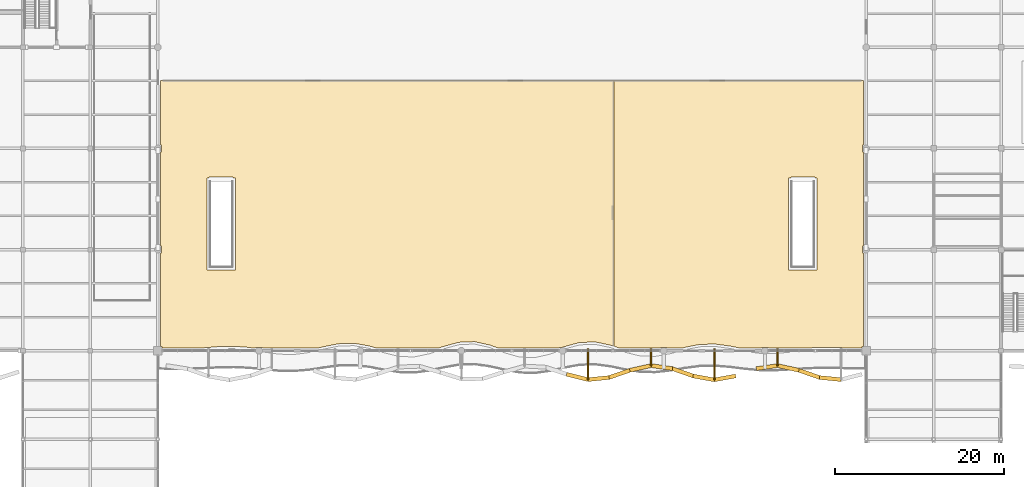
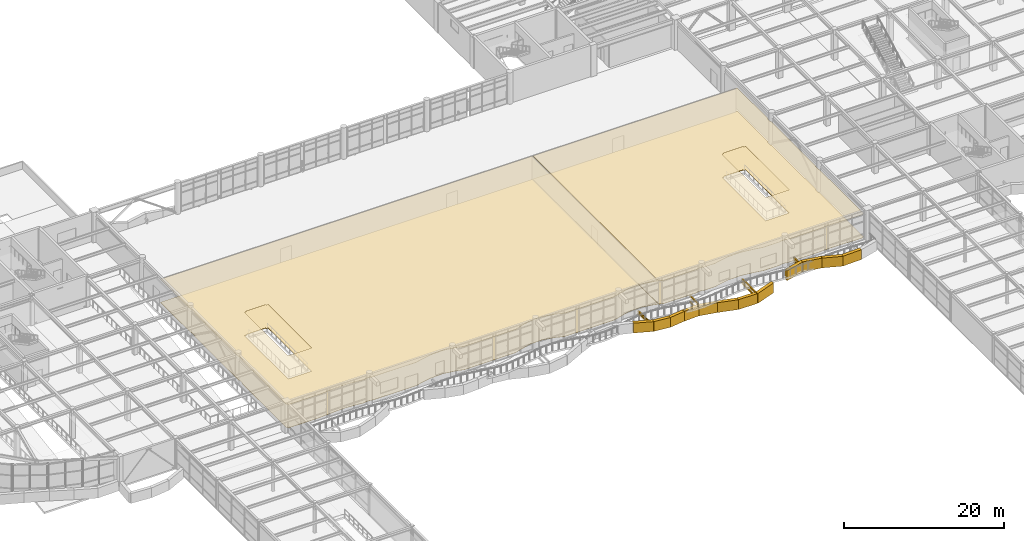
# One storey, part 61 of 72: 24 coverings.
"""IFC4 building model written with IfcOpenShell, lengths in metres."""

from ifc_helpers import new_model, si_unit, direction, frame, frame_2d, origin, place, context, subcontext, project, spatial, polyline, rectangle, outline, extrude, material, layer, layer_set, type_object, element, save


model = new_model("IFC4")

# Units and contexts
model_context = context("Model", 3, precision=1e-05, world=origin(), true_north=direction((0.0, 1.0)))
body_context = subcontext(model_context, "Body", "Model", "MODEL_VIEW")
ifc_project = project(units=[si_unit("LENGTHUNIT", "METRE"), si_unit("AREAUNIT", "SQUARE_METRE"), si_unit("VOLUMEUNIT", "CUBIC_METRE"), si_unit("PLANEANGLEUNIT", "RADIAN"), si_unit("MASSUNIT", "GRAM", prefix="KILO")], contexts=[model_context])

# Site, building, storey
site_placement = place(None, origin())
site = spatial("IfcSite", under=ifc_project, at=site_placement, CompositionType="ELEMENT")
building_placement = place(site_placement, origin())
building = spatial("IfcBuilding", under=site, at=building_placement, Name="Keelwater Ferry Terminal", CompositionType="ELEMENT")
storey_placement = place(building_placement, frame((0.0, 0.0, 5.39990234375)))
storey = spatial("IfcBuildingStorey", under=building, at=storey_placement, Name="L01", CompositionType="ELEMENT", Elevation=5.39990234375)

# Coverings
ifc_material_1 = material(Name="Perforated acoustic gypsum board ceiling", Category="gypsum")
ifc_layer_1 = layer(ifc_material_1, 0.044921875)
ifc_layer_set_1 = layer_set([ifc_layer_1], Name="Perforated acoustic gypsum board ceiling")
covering_type_1 = type_object("IfcCoveringType", Name="CL-AC Acoustic Baffle Ceiling", PredefinedType="CEILING", material=ifc_layer_set_1)
covering_1_placement = place(storey_placement, frame((0.0, 0.0, 3.550048828125)))
element("IfcCovering", 1, at=covering_1_placement, inside=storey, type_object=covering_type_1, Name="Departure Hall Acoustic Ceiling", PredefinedType="CEILING", context=body_context, shape_type="SweptSolid", body=[
    extrude(outline(polyline([(48.320068359375, 54.412109375), (48.320068359375, 54.419921875), (48.320068359375, 65.580078125), (48.320068359375, 65.587890625), (48.321044921875, 65.590087890625), (48.409912109375, 65.590087890625), (48.409912109375, 66.409912109375), (48.321044921875, 66.409912109375), (48.320068359375, 66.412109375), (48.320068359375, 66.419921875), (48.320068359375, 74.0), (48.320068359375, 74.008056640625), (48.322021484375, 74.01611328125), (48.322998046875, 74.02294921875), (48.325927734375, 74.031005859375), (48.3291015625, 74.0380859375), (48.3330078125, 74.0439453125), (48.337890625, 74.051025390625), (48.343017578125, 74.056884765625), (48.34912109375, 74.06201171875), (48.35595703125, 74.06689453125), (48.362060546875, 74.071044921875), (48.368896484375, 74.073974609375), (48.376953125, 74.076904296875), (48.384033203125, 74.077880859375), (48.39208984375, 74.080078125), (48.39990234375, 74.080078125), (102.0, 74.080078125), (102.008056640625, 74.080078125), (102.01611328125, 74.077880859375), (102.02294921875, 74.076904296875), (102.031005859375, 74.073974609375), (102.0380859375, 74.071044921875), (102.0439453125, 74.06689453125), (102.051025390625, 74.06201171875), (102.056884765625, 74.056884765625), (102.06201171875, 74.051025390625), (102.06689453125, 74.0439453125), (102.071044921875, 74.0380859375), (102.073974609375, 74.031005859375), (102.076904296875, 74.02294921875), (102.077880859375, 74.01611328125), (102.080078125, 74.008056640625), (102.080078125, 74.0), (102.080078125, 42.64990234375), (102.080078125, 42.64208984375), (102.077880859375, 42.634033203125), (102.076904296875, 42.626953125), (102.073974609375, 42.618896484375), (102.070068359375, 42.612060546875), (102.06591796875, 42.60498046875), (102.06201171875, 42.59912109375), (102.055908203125, 42.593017578125), (102.050048828125, 42.587890625), (102.0439453125, 42.5830078125), (102.037109375, 42.5791015625), (102.030029296875, 42.575927734375), (102.02294921875, 42.572998046875), (102.014892578125, 42.571044921875), (102.007080078125, 42.570068359375), (101.9990234375, 42.570068359375), (101.990966796875, 42.570068359375), (101.98388671875, 42.572021484375), (101.97607421875, 42.573974609375), (101.6708984375, 42.6689453125), (99.89208984375, 43.041015625), (99.81494140625, 43.048095703125), (98.0009765625, 42.97802734375), (96.18505859375, 42.487060546875), (95.965087890625, 42.409912109375), (95.590087890625, 42.409912109375), (95.590087890625, 42.321044921875), (95.587890625, 42.320068359375), (95.580078125, 42.320068359375), (88.387939453125, 42.320068359375), (88.37890625, 42.321044921875), (88.3701171875, 42.322021484375), (88.361083984375, 42.324951171875), (87.3759765625, 42.675048828125), (85.597900390625, 43.072998046875), (85.51611328125, 43.0810546875), (83.702880859375, 43.009033203125), (81.885986328125, 42.51708984375), (81.31396484375, 42.323974609375), (81.304931640625, 42.322021484375), (81.297119140625, 42.320068359375), (81.2880859375, 42.320068359375), (73.93994140625, 42.320068359375), (73.931884765625, 42.320068359375), (73.925048828125, 42.321044921875), (73.9169921875, 42.322998046875), (73.06494140625, 42.573974609375), (71.285888671875, 42.885986328125), (71.220947265625, 42.89111328125), (69.4150390625, 42.8310546875), (67.60693359375, 42.471923828125), (66.9599609375, 42.322021484375), (66.950927734375, 42.321044921875), (66.94189453125, 42.320068359375), (60.419921875, 42.320068359375), (60.412109375, 42.320068359375), (60.409912109375, 42.321044921875), (60.409912109375, 42.409912109375), (59.590087890625, 42.409912109375), (59.590087890625, 42.321044921875), (59.587890625, 42.320068359375), (59.580078125, 42.320068359375), (59.347900390625, 42.320068359375), (59.342041015625, 42.320068359375), (59.3359375, 42.321044921875), (58.739990234375, 42.409912109375), (56.924072265625, 42.5380859375), (55.125, 42.486083984375), (53.343017578125, 42.344970703125), (53.342041015625, 42.344970703125), (52.926025390625, 42.320068359375), (52.9208984375, 42.320068359375), (48.52001953125, 42.320068359375), (48.511962890625, 42.320068359375), (48.510009765625, 42.321044921875), (48.510009765625, 42.510009765625), (48.321044921875, 42.510009765625), (48.320068359375, 42.511962890625), (48.320068359375, 42.52001953125), (48.320068359375, 53.580078125), (48.320068359375, 53.587890625), (48.321044921875, 53.590087890625), (48.409912109375, 53.590087890625), (48.409912109375, 54.409912109375), (48.321044921875, 54.409912109375), (48.320068359375, 54.412109375)]), holes=[polyline([(54.080078125, 62.6201171875), (54.080078125, 62.47998046875), (53.800048828125, 62.47998046875), (53.800048828125, 51.60009765625), (57.199951171875, 51.60009765625), (57.199951171875, 62.47998046875), (56.919921875, 62.47998046875), (56.919921875, 62.6201171875), (54.080078125, 62.6201171875)])]), origin(), (0.0, 0.0, 1.0), 0.045166015625),
])
covering_2_placement = place(storey_placement, frame((0.0, 0.0, 3.550048828125)))
element("IfcCovering", 2, at=covering_2_placement, inside=storey, type_object=covering_type_1, Name="Schengen Border Gate Concourse Acoustic Ceiling", PredefinedType="CEILING", context=body_context, shape_type="SweptSolid", body=[
    extrude(outline(polyline([(107.587890625, 42.320068359375), (107.580078125, 42.320068359375), (102.779052734375, 42.320068359375), (102.77099609375, 42.320068359375), (102.762939453125, 42.322021484375), (102.7548828125, 42.323974609375), (102.176025390625, 42.510009765625), (102.16796875, 42.512939453125), (102.160888671875, 42.51611328125), (102.155029296875, 42.52001953125), (102.14892578125, 42.52490234375), (102.14306640625, 42.530029296875), (102.137939453125, 42.535888671875), (102.133056640625, 42.5419921875), (102.12890625, 42.549072265625), (102.1259765625, 42.555908203125), (102.123046875, 42.56298828125), (102.12109375, 42.571044921875), (102.1201171875, 42.577880859375), (102.1201171875, 42.5859375), (102.1201171875, 74.0), (102.1201171875, 74.008056640625), (102.1220703125, 74.01611328125), (102.123046875, 74.02294921875), (102.1259765625, 74.031005859375), (102.12890625, 74.0380859375), (102.133056640625, 74.0439453125), (102.137939453125, 74.051025390625), (102.14306640625, 74.056884765625), (102.14892578125, 74.06201171875), (102.156005859375, 74.06689453125), (102.162109375, 74.071044921875), (102.1689453125, 74.073974609375), (102.177001953125, 74.076904296875), (102.18408203125, 74.077880859375), (102.19189453125, 74.080078125), (102.199951171875, 74.080078125), (131.60009765625, 74.080078125), (131.60791015625, 74.080078125), (131.615966796875, 74.077880859375), (131.623046875, 74.076904296875), (131.631103515625, 74.073974609375), (131.637939453125, 74.071044921875), (131.64404296875, 74.06689453125), (131.65087890625, 74.06201171875), (131.656982421875, 74.056884765625), (131.662109375, 74.051025390625), (131.6669921875, 74.0439453125), (131.6708984375, 74.0380859375), (131.674072265625, 74.031005859375), (131.677001953125, 74.02294921875), (131.677978515625, 74.01611328125), (131.679931640625, 74.008056640625), (131.679931640625, 74.0), (131.679931640625, 66.419921875), (131.679931640625, 66.412109375), (131.678955078125, 66.409912109375), (131.590087890625, 66.409912109375), (131.590087890625, 65.590087890625), (131.678955078125, 65.590087890625), (131.679931640625, 65.587890625), (131.679931640625, 65.580078125), (131.679931640625, 54.419921875), (131.679931640625, 54.412109375), (131.678955078125, 54.409912109375), (131.590087890625, 54.409912109375), (131.590087890625, 53.590087890625), (131.678955078125, 53.590087890625), (131.679931640625, 53.587890625), (131.679931640625, 53.580078125), (131.679931640625, 42.52001953125), (131.679931640625, 42.511962890625), (131.678955078125, 42.510009765625), (131.489990234375, 42.510009765625), (131.489990234375, 42.321044921875), (131.488037109375, 42.320068359375), (131.47998046875, 42.320068359375), (130.06298828125, 42.320068359375), (130.05908203125, 42.320068359375), (128.428955078125, 42.39208984375), (126.64501953125, 42.41796875), (124.863037109375, 42.320068359375), (124.85888671875, 42.320068359375), (120.419921875, 42.320068359375), (120.412109375, 42.320068359375), (120.409912109375, 42.321044921875), (120.409912109375, 42.409912109375), (119.590087890625, 42.409912109375), (119.590087890625, 42.321044921875), (119.587890625, 42.320068359375), (119.580078125, 42.320068359375), (117.09912109375, 42.320068359375), (117.091064453125, 42.320068359375), (117.083984375, 42.321044921875), (115.951904296875, 42.54296875), (114.115966796875, 42.794921875), (112.31005859375, 42.758056640625), (110.501953125, 42.407958984375), (110.177978515625, 42.322998046875), (110.172119140625, 42.321044921875), (110.1650390625, 42.320068359375), (110.157958984375, 42.320068359375), (108.419921875, 42.320068359375), (108.412109375, 42.320068359375), (108.409912109375, 42.321044921875), (108.409912109375, 42.409912109375), (107.590087890625, 42.409912109375), (107.590087890625, 42.321044921875), (107.587890625, 42.320068359375)]), holes=[polyline([(123.080078125, 62.6201171875), (123.080078125, 62.47998046875), (122.800048828125, 62.47998046875), (122.800048828125, 51.60009765625), (126.199951171875, 51.60009765625), (126.199951171875, 62.47998046875), (125.919921875, 62.47998046875), (125.919921875, 62.6201171875), (123.080078125, 62.6201171875)])]), origin(), (0.0, 0.0, 1.0), 0.045166015625),
])
ifc_material_2 = material(Name="Polished mineral terrazzo tile", Category="stone")
ifc_layer_2 = layer(ifc_material_2, 0.030029296875)
ifc_layer_set_2 = layer_set([ifc_layer_2], Name="Polished mineral terrazzo tile")
covering_type_2 = type_object("IfcCoveringType", Name="FL-TZ Marine Terrazzo Flooring", PredefinedType="FLOORING", material=ifc_layer_set_2)
covering_3_placement = place(storey_placement, origin())
element("IfcCovering", 3, at=covering_3_placement, inside=storey, type_object=covering_type_2, Name="Departure Hall Terrazzo Floor", PredefinedType="FLOORING", context=body_context, shape_type="SweptSolid", body=[
    extrude(outline(polyline([(48.320068359375, 54.412109375), (48.320068359375, 54.419921875), (48.320068359375, 65.580078125), (48.320068359375, 65.587890625), (48.321044921875, 65.590087890625), (48.409912109375, 65.590087890625), (48.409912109375, 66.409912109375), (48.321044921875, 66.409912109375), (48.320068359375, 66.412109375), (48.320068359375, 66.419921875), (48.320068359375, 74.0), (48.320068359375, 74.008056640625), (48.322021484375, 74.01611328125), (48.322998046875, 74.02294921875), (48.325927734375, 74.031005859375), (48.3291015625, 74.0380859375), (48.3330078125, 74.0439453125), (48.337890625, 74.051025390625), (48.343017578125, 74.056884765625), (48.34912109375, 74.06201171875), (48.35595703125, 74.06689453125), (48.362060546875, 74.071044921875), (48.368896484375, 74.073974609375), (48.376953125, 74.076904296875), (48.384033203125, 74.077880859375), (48.39208984375, 74.080078125), (48.39990234375, 74.080078125), (102.0, 74.080078125), (102.008056640625, 74.080078125), (102.01611328125, 74.077880859375), (102.02294921875, 74.076904296875), (102.031005859375, 74.073974609375), (102.0380859375, 74.071044921875), (102.0439453125, 74.06689453125), (102.051025390625, 74.06201171875), (102.056884765625, 74.056884765625), (102.06201171875, 74.051025390625), (102.06689453125, 74.0439453125), (102.071044921875, 74.0380859375), (102.073974609375, 74.031005859375), (102.076904296875, 74.02294921875), (102.077880859375, 74.01611328125), (102.080078125, 74.008056640625), (102.080078125, 74.0), (102.080078125, 42.64990234375), (102.080078125, 42.64208984375), (102.077880859375, 42.634033203125), (102.076904296875, 42.626953125), (102.073974609375, 42.618896484375), (102.070068359375, 42.612060546875), (102.06591796875, 42.60498046875), (102.06201171875, 42.59912109375), (102.055908203125, 42.593017578125), (102.050048828125, 42.587890625), (102.0439453125, 42.5830078125), (102.037109375, 42.5791015625), (102.030029296875, 42.575927734375), (102.02294921875, 42.572998046875), (102.014892578125, 42.571044921875), (102.007080078125, 42.570068359375), (101.9990234375, 42.570068359375), (101.990966796875, 42.570068359375), (101.98388671875, 42.572021484375), (101.97607421875, 42.573974609375), (101.6708984375, 42.6689453125), (99.89208984375, 43.041015625), (99.81494140625, 43.048095703125), (98.0009765625, 42.97802734375), (96.18505859375, 42.487060546875), (95.965087890625, 42.409912109375), (95.590087890625, 42.409912109375), (95.590087890625, 42.321044921875), (95.587890625, 42.320068359375), (95.580078125, 42.320068359375), (88.387939453125, 42.320068359375), (88.37890625, 42.321044921875), (88.3701171875, 42.322021484375), (88.361083984375, 42.324951171875), (87.3759765625, 42.675048828125), (85.597900390625, 43.072998046875), (85.51611328125, 43.0810546875), (83.702880859375, 43.009033203125), (81.885986328125, 42.51708984375), (81.31396484375, 42.323974609375), (81.304931640625, 42.322021484375), (81.297119140625, 42.320068359375), (81.2880859375, 42.320068359375), (73.93994140625, 42.320068359375), (73.931884765625, 42.320068359375), (73.925048828125, 42.321044921875), (73.9169921875, 42.322998046875), (73.06494140625, 42.573974609375), (71.285888671875, 42.885986328125), (71.220947265625, 42.89111328125), (69.4150390625, 42.8310546875), (67.60693359375, 42.471923828125), (66.9599609375, 42.322021484375), (66.950927734375, 42.321044921875), (66.94189453125, 42.320068359375), (60.419921875, 42.320068359375), (60.412109375, 42.320068359375), (60.409912109375, 42.321044921875), (60.409912109375, 42.409912109375), (59.590087890625, 42.409912109375), (59.590087890625, 42.321044921875), (59.587890625, 42.320068359375), (59.580078125, 42.320068359375), (59.347900390625, 42.320068359375), (59.342041015625, 42.320068359375), (59.3359375, 42.321044921875), (58.739990234375, 42.409912109375), (56.924072265625, 42.5380859375), (55.125, 42.486083984375), (53.343017578125, 42.344970703125), (53.342041015625, 42.344970703125), (52.926025390625, 42.320068359375), (52.9208984375, 42.320068359375), (48.52001953125, 42.320068359375), (48.511962890625, 42.320068359375), (48.510009765625, 42.321044921875), (48.510009765625, 42.510009765625), (48.321044921875, 42.510009765625), (48.320068359375, 42.511962890625), (48.320068359375, 42.52001953125), (48.320068359375, 53.580078125), (48.320068359375, 53.587890625), (48.321044921875, 53.590087890625), (48.409912109375, 53.590087890625), (48.409912109375, 54.409912109375), (48.321044921875, 54.409912109375), (48.320068359375, 54.412109375)]), holes=[polyline([(54.080078125, 62.6201171875), (54.080078125, 62.47998046875), (53.800048828125, 62.47998046875), (53.800048828125, 51.60009765625), (57.199951171875, 51.60009765625), (57.199951171875, 62.47998046875), (56.919921875, 62.47998046875), (56.919921875, 62.6201171875), (54.080078125, 62.6201171875)])]), origin(), (0.0, 0.0, 1.0), 0.030029296875),
])
covering_4_placement = place(storey_placement, origin())
element("IfcCovering", 4, at=covering_4_placement, inside=storey, type_object=covering_type_2, Name="Schengen Border Gate Concourse Terrazzo Floor", PredefinedType="FLOORING", context=body_context, shape_type="SweptSolid", body=[
    extrude(outline(polyline([(107.587890625, 42.320068359375), (107.580078125, 42.320068359375), (102.779052734375, 42.320068359375), (102.77099609375, 42.320068359375), (102.762939453125, 42.322021484375), (102.7548828125, 42.323974609375), (102.176025390625, 42.510009765625), (102.16796875, 42.512939453125), (102.160888671875, 42.51611328125), (102.155029296875, 42.52001953125), (102.14892578125, 42.52490234375), (102.14306640625, 42.530029296875), (102.137939453125, 42.535888671875), (102.133056640625, 42.5419921875), (102.12890625, 42.549072265625), (102.1259765625, 42.555908203125), (102.123046875, 42.56298828125), (102.12109375, 42.571044921875), (102.1201171875, 42.577880859375), (102.1201171875, 42.5859375), (102.1201171875, 74.0), (102.1201171875, 74.008056640625), (102.1220703125, 74.01611328125), (102.123046875, 74.02294921875), (102.1259765625, 74.031005859375), (102.12890625, 74.0380859375), (102.133056640625, 74.0439453125), (102.137939453125, 74.051025390625), (102.14306640625, 74.056884765625), (102.14892578125, 74.06201171875), (102.156005859375, 74.06689453125), (102.162109375, 74.071044921875), (102.1689453125, 74.073974609375), (102.177001953125, 74.076904296875), (102.18408203125, 74.077880859375), (102.19189453125, 74.080078125), (102.199951171875, 74.080078125), (131.60009765625, 74.080078125), (131.60791015625, 74.080078125), (131.615966796875, 74.077880859375), (131.623046875, 74.076904296875), (131.631103515625, 74.073974609375), (131.637939453125, 74.071044921875), (131.64404296875, 74.06689453125), (131.65087890625, 74.06201171875), (131.656982421875, 74.056884765625), (131.662109375, 74.051025390625), (131.6669921875, 74.0439453125), (131.6708984375, 74.0380859375), (131.674072265625, 74.031005859375), (131.677001953125, 74.02294921875), (131.677978515625, 74.01611328125), (131.679931640625, 74.008056640625), (131.679931640625, 74.0), (131.679931640625, 66.419921875), (131.679931640625, 66.412109375), (131.678955078125, 66.409912109375), (131.590087890625, 66.409912109375), (131.590087890625, 65.590087890625), (131.678955078125, 65.590087890625), (131.679931640625, 65.587890625), (131.679931640625, 65.580078125), (131.679931640625, 54.419921875), (131.679931640625, 54.412109375), (131.678955078125, 54.409912109375), (131.590087890625, 54.409912109375), (131.590087890625, 53.590087890625), (131.678955078125, 53.590087890625), (131.679931640625, 53.587890625), (131.679931640625, 53.580078125), (131.679931640625, 42.52001953125), (131.679931640625, 42.511962890625), (131.678955078125, 42.510009765625), (131.489990234375, 42.510009765625), (131.489990234375, 42.321044921875), (131.488037109375, 42.320068359375), (131.47998046875, 42.320068359375), (130.06298828125, 42.320068359375), (130.05908203125, 42.320068359375), (128.428955078125, 42.39208984375), (126.64501953125, 42.41796875), (124.863037109375, 42.320068359375), (124.85888671875, 42.320068359375), (120.419921875, 42.320068359375), (120.412109375, 42.320068359375), (120.409912109375, 42.321044921875), (120.409912109375, 42.409912109375), (119.590087890625, 42.409912109375), (119.590087890625, 42.321044921875), (119.587890625, 42.320068359375), (119.580078125, 42.320068359375), (117.09912109375, 42.320068359375), (117.091064453125, 42.320068359375), (117.083984375, 42.321044921875), (115.951904296875, 42.54296875), (114.115966796875, 42.794921875), (112.31005859375, 42.758056640625), (110.501953125, 42.407958984375), (110.177978515625, 42.322998046875), (110.172119140625, 42.321044921875), (110.1650390625, 42.320068359375), (110.157958984375, 42.320068359375), (108.419921875, 42.320068359375), (108.412109375, 42.320068359375), (108.409912109375, 42.321044921875), (108.409912109375, 42.409912109375), (107.590087890625, 42.409912109375), (107.590087890625, 42.321044921875), (107.587890625, 42.320068359375)]), holes=[polyline([(123.080078125, 62.6201171875), (123.080078125, 62.47998046875), (122.800048828125, 62.47998046875), (122.800048828125, 51.60009765625), (126.199951171875, 51.60009765625), (126.199951171875, 62.47998046875), (125.919921875, 62.47998046875), (125.919921875, 62.6201171875), (123.080078125, 62.6201171875)])]), origin(), (0.0, 0.0, 1.0), 0.030029296875),
])
ifc_material_3 = material(Name="Matte white architectural aluminium fascia ribbon", Category="aluminium")
ifc_layer_3 = layer(ifc_material_3, 0.1201171875)
ifc_layer_set_3 = layer_set([ifc_layer_3], Name="Matte white architectural aluminium fascia ribbon")
covering_type_3 = type_object("IfcCoveringType", Name="RB-WHT Matte White Fascia Ribbon", PredefinedType="CLADDING", material=ifc_layer_set_3)
covering_5_placement = place(storey_placement, frame((96.47607421875, 39.221923828125, -0.493896484375), z_axis=(0.0, 0.0, 1.0), x_axis=(0.969062454422, -0.246815638545, 0.0)))
element("IfcCovering", 5, at=covering_5_placement, inside=storey, type_object=covering_type_3, Name="Concourse Lower Wave Fascia Ribbon 467", PredefinedType="CLADDING", context=body_context, shape_type="SweptSolid", body=[
    extrude(outline(polyline([(0.0, 0.257080078125), (2.629150390625, 0.0), (2.629150390625, 1.5), (0.0, 1.757080078125), (0.0, 0.257080078125)])), frame((0.0, 0.22998046875, 0.0), z_axis=(0.0, -1.0, 0.0), x_axis=(1.0, 0.0, 0.0)), (0.0, 0.0, 1.0), 0.4599609375),
])
covering_6_placement = place(storey_placement, frame((98.97509765625, 38.576904296875, -0.909912109375), z_axis=(0.0, 0.0, 1.0), x_axis=(0.995190712751, 0.097956343614, 0.0)))
element("IfcCovering", 6, at=covering_6_placement, inside=storey, type_object=covering_type_3, Name="Concourse Lower Wave Fascia Ribbon 471", PredefinedType="CLADDING", context=body_context, shape_type="SweptSolid", body=[
    extrude(outline(polyline([(0.0, 0.416015625), (2.56201171875, 0.0), (2.56201171875, 1.5), (0.0, 1.916015625), (0.0, 0.416015625)])), frame((0.0, 0.22998046875, 0.0), z_axis=(0.0, -1.0, 0.0), x_axis=(1.0, 0.0, 0.0)), (0.0, 0.0, 1.0), 0.4599609375),
])
covering_7_placement = place(storey_placement, frame((99.0, 38.5791015625, 0.1162109375), z_axis=(0.0, 0.0, 1.0), x_axis=(0.0, 1.0, 0.0)))
element("IfcCovering", 7, at=covering_7_placement, inside=storey, type_object=covering_type_3, Name="Ribbon Horizontal Tie Bracket 475", PredefinedType="CLADDING", context=body_context, shape_type="SweptSolid", body=[
    extrude(rectangle(XDim=3.6708984375, YDim=0.159912109375, at=frame_2d((1.83544921875, 0.0))), origin(), (0.0, 0.0, 1.0), 0.27978515625),
])
covering_8_placement = place(storey_placement, frame((99.0, 38.5791015625, -0.25), z_axis=(0.0, 0.0, 1.0), x_axis=(0.0, 1.0, 0.0)))
element("IfcCovering", 8, at=covering_8_placement, inside=storey, type_object=covering_type_3, Name="Ribbon Slab Tie Bracket 478", PredefinedType="CLADDING", context=body_context, shape_type="SweptSolid", body=[
    extrude(rectangle(XDim=3.6708984375, YDim=0.159912109375, at=frame_2d((1.83544921875, 0.0))), origin(), (0.0, 0.0, 1.0), 0.300048828125),
])
covering_9_placement = place(storey_placement, frame((101.47607421875, 38.818115234375, -1.389892578125), z_axis=(0.0, 0.0, 1.0), x_axis=(0.945110901935, 0.326749725391, 0.0)))
element("IfcCovering", 9, at=covering_9_placement, inside=storey, type_object=covering_type_3, Name="Concourse Lower Wave Fascia Ribbon 482", PredefinedType="CLADDING", context=body_context, shape_type="SweptSolid", body=[
    extrude(outline(polyline([(0.0, 0.47998046875), (2.69580078125, 0.0), (2.69580078125, 1.5), (0.0, 1.97998046875), (0.0, 0.47998046875)])), frame((0.0, 0.22998046875, 0.0), z_axis=(0.0, -1.0, 0.0), x_axis=(1.0, 0.0, 0.0)), (0.0, 0.0, 1.0), 0.4599609375),
])
covering_10_placement = place(storey_placement, frame((103.97607421875, 39.68603515625, -1.7509765625), z_axis=(0.0, 0.0, 1.0), x_axis=(0.976524931289, 0.215404407036, 0.0)))
element("IfcCovering", 10, at=covering_10_placement, inside=storey, type_object=covering_type_3, Name="Concourse Lower Wave Fascia Ribbon 485", PredefinedType="CLADDING", context=body_context, shape_type="SweptSolid", body=[
    extrude(outline(polyline([(0.0, 0.361083984375), (2.609130859375, 0.0), (2.609130859375, 1.5), (0.0, 1.861083984375), (0.0, 0.361083984375)])), frame((0.0, 0.22998046875, 0.0), z_axis=(0.0, -1.0, 0.0), x_axis=(1.0, 0.0, 0.0)), (0.0, 0.0, 1.0), 0.4599609375),
])
covering_11_placement = place(storey_placement, frame((106.47509765625, 40.2470703125, -1.89892578125), z_axis=(0.0, 0.0, 1.0), x_axis=(0.990015739635, -0.140956856074, 0.0)))
element("IfcCovering", 11, at=covering_11_placement, inside=storey, type_object=covering_type_3, Name="Concourse Lower Wave Fascia Ribbon 489", PredefinedType="CLADDING", context=body_context, shape_type="SweptSolid", body=[
    extrude(outline(polyline([(0.0, 0.14794921875), (2.575439453125, 0.0), (2.575439453125, 1.5), (0.0, 1.64794921875), (0.0, 0.14794921875)])), frame((0.0, 0.22998046875, 0.0), z_axis=(0.0, -1.0, 0.0), x_axis=(1.0, 0.0, 0.0)), (0.0, 0.0, 1.0), 0.4599609375),
])
covering_12_placement = place(storey_placement, frame((106.5, 40.242919921875, -1.140869140625), z_axis=(0.0, 0.0, 1.0), x_axis=(0.0, 1.0, 0.0)))
element("IfcCovering", 12, at=covering_12_placement, inside=storey, type_object=covering_type_3, Name="Ribbon Horizontal Tie Bracket 493", PredefinedType="CLADDING", context=body_context, shape_type="SweptSolid", body=[
    extrude(rectangle(XDim=2.007080078125, YDim=0.159912109375, at=frame_2d((1.00341796875, 0.0))), origin(), (0.0, 0.0, 1.0), 0.280029296875),
])
covering_13_placement = place(storey_placement, frame((106.5, 40.242919921875, -0.25), z_axis=(0.0, 0.0, 1.0), x_axis=(0.0, 1.0, 0.0)))
element("IfcCovering", 13, at=covering_13_placement, inside=storey, type_object=covering_type_3, Name="Ribbon Slab Tie Bracket 495", PredefinedType="CLADDING", context=body_context, shape_type="SweptSolid", body=[
    extrude(rectangle(XDim=2.007080078125, YDim=0.159912109375, at=frame_2d((1.00341796875, 0.0))), origin(), (0.0, 0.0, 1.0), 0.300048828125),
])
covering_14_placement = place(storey_placement, frame((108.97607421875, 39.89599609375, -1.89892578125), z_axis=(0.0, 0.0, 1.0), x_axis=(0.943366885716, -0.33175129078, 0.0)))
element("IfcCovering", 14, at=covering_14_placement, inside=storey, type_object=covering_type_3, Name="Concourse Lower Wave Fascia Ribbon 500", PredefinedType="CLADDING", context=body_context, shape_type="SweptSolid", body=[
    extrude(outline(polyline([(0.0, 0.0), (2.700927734375, 0.114990234375), (2.700927734375, 1.614990234375), (0.0, 1.5), (0.0, 0.0)])), frame((0.0, 0.22998046875, 0.0), z_axis=(0.0, -1.0, 0.0), x_axis=(1.0, 0.0, 0.0)), (0.0, 0.0, 1.0), 0.4599609375),
])
covering_15_placement = place(storey_placement, frame((111.47509765625, 39.012939453125, -1.783935546875), z_axis=(0.0, 0.0, 1.0), x_axis=(0.983568673155, -0.180534387824, 0.0)))
element("IfcCovering", 15, at=covering_15_placement, inside=storey, type_object=covering_type_3, Name="Concourse Lower Wave Fascia Ribbon 504", PredefinedType="CLADDING", context=body_context, shape_type="SweptSolid", body=[
    extrude(outline(polyline([(0.0, 0.0), (2.59228515625, 0.3359375), (2.59228515625, 1.8359375), (0.0, 1.5), (0.0, 0.0)])), frame((0.0, 0.22998046875, 0.0), z_axis=(0.0, -1.0, 0.0), x_axis=(1.0, 0.0, 0.0)), (0.0, 0.0, 1.0), 0.4599609375),
])
covering_16_placement = place(storey_placement, frame((113.97509765625, 38.544921875, -1.447998046875), z_axis=(0.0, 0.0, 1.0), x_axis=(0.983568673155, 0.180534387824, 0.0)))
element("IfcCovering", 16, at=covering_16_placement, inside=storey, type_object=covering_type_3, Name="Concourse Lower Wave Fascia Ribbon 508", PredefinedType="CLADDING", context=body_context, shape_type="SweptSolid", body=[
    extrude(outline(polyline([(0.0, 0.0), (2.59228515625, 0.455078125), (2.59228515625, 1.955078125), (0.0, 1.5), (0.0, 0.0)])), frame((0.0, 0.22998046875, 0.0), z_axis=(0.0, -1.0, 0.0), x_axis=(1.0, 0.0, 0.0)), (0.0, 0.0, 1.0), 0.4599609375),
])
covering_17_placement = place(storey_placement, frame((114.0, 38.550048828125, -0.837890625), z_axis=(0.0, 0.0, 1.0), x_axis=(0.0, 1.0, 0.0)))
element("IfcCovering", 17, at=covering_17_placement, inside=storey, type_object=covering_type_3, Name="Ribbon Horizontal Tie Bracket 512", PredefinedType="CLADDING", context=body_context, shape_type="SweptSolid", body=[
    extrude(rectangle(XDim=3.699951171875, YDim=0.159912109375, at=frame_2d((1.85009765625, 0.0))), origin(), (0.0, 0.0, 1.0), 0.280029296875),
])
covering_18_placement = place(storey_placement, frame((114.0, 38.550048828125, -0.25), z_axis=(0.0, 0.0, 1.0), x_axis=(0.0, 1.0, 0.0)))
element("IfcCovering", 18, at=covering_18_placement, inside=storey, type_object=covering_type_3, Name="Ribbon Slab Tie Bracket 515", PredefinedType="CLADDING", context=body_context, shape_type="SweptSolid", body=[
    extrude(rectangle(XDim=3.699951171875, YDim=0.159912109375, at=frame_2d((1.85009765625, 0.0))), origin(), (0.0, 0.0, 1.0), 0.300048828125),
])
covering_19_placement = place(storey_placement, frame((118.97509765625, 39.884033203125, -0.538818359375), z_axis=(0.0, 0.0, 1.0), x_axis=(0.990015739635, 0.140956856074, 0.0)))
element("IfcCovering", 19, at=covering_19_placement, inside=storey, type_object=covering_type_3, Name="Concourse Lower Wave Fascia Ribbon 521", PredefinedType="CLADDING", context=body_context, shape_type="SweptSolid", body=[
    extrude(outline(polyline([(0.0, 0.0), (2.575439453125, 0.280029296875), (2.575439453125, 1.780029296875), (0.0, 1.5), (0.0, 0.0)])), frame((0.0, 0.22998046875, 0.0), z_axis=(0.0, -1.0, 0.0), x_axis=(1.0, 0.0, 0.0)), (0.0, 0.0, 1.0), 0.4599609375),
])
covering_20_placement = place(storey_placement, frame((121.47607421875, 40.248046875, -0.2587890625), z_axis=(0.0, 0.0, 1.0), x_axis=(0.976524931289, -0.215404407036, 0.0)))
element("IfcCovering", 20, at=covering_20_placement, inside=storey, type_object=covering_type_3, Name="Concourse Lower Wave Fascia Ribbon 524", PredefinedType="CLADDING", context=body_context, shape_type="SweptSolid", body=[
    extrude(outline(polyline([(0.0, 0.0), (2.609130859375, 0.044921875), (2.609130859375, 1.544921875), (0.0, 1.5), (0.0, 0.0)])), frame((0.0, 0.22998046875, 0.0), z_axis=(0.0, -1.0, 0.0), x_axis=(1.0, 0.0, 0.0)), (0.0, 0.0, 1.0), 0.4599609375),
])
covering_21_placement = place(storey_placement, frame((121.5, 40.242919921875, 0.35107421875), z_axis=(0.0, 0.0, 1.0), x_axis=(0.0, 1.0, 0.0)))
element("IfcCovering", 21, at=covering_21_placement, inside=storey, type_object=covering_type_3, Name="Ribbon Horizontal Tie Bracket 528", PredefinedType="CLADDING", context=body_context, shape_type="SweptSolid", body=[
    extrude(rectangle(XDim=2.007080078125, YDim=0.159912109375, at=frame_2d((1.00341796875, 0.0))), origin(), (0.0, 0.0, 1.0), 0.280029296875),
])
covering_22_placement = place(storey_placement, frame((121.5, 40.242919921875, -0.25), z_axis=(0.0, 0.0, 1.0), x_axis=(0.0, 1.0, 0.0)))
element("IfcCovering", 22, at=covering_22_placement, inside=storey, type_object=covering_type_3, Name="Ribbon Slab Tie Bracket 531", PredefinedType="CLADDING", context=body_context, shape_type="SweptSolid", body=[
    extrude(rectangle(XDim=2.007080078125, YDim=0.159912109375, at=frame_2d((1.00341796875, 0.0))), origin(), (0.0, 0.0, 1.0), 0.300048828125),
])
covering_23_placement = place(storey_placement, frame((123.97607421875, 39.698974609375, -0.286865234375), z_axis=(0.0, 0.0, 1.0), x_axis=(0.945110901935, -0.326749725391, 0.0)))
element("IfcCovering", 23, at=covering_23_placement, inside=storey, type_object=covering_type_3, Name="Concourse Lower Wave Fascia Ribbon 535", PredefinedType="CLADDING", context=body_context, shape_type="SweptSolid", body=[
    extrude(outline(polyline([(0.0, 0.072998046875), (2.69580078125, 0.0), (2.69580078125, 1.5), (0.0, 1.572998046875), (0.0, 0.072998046875)])), frame((0.0, 0.22998046875, 0.0), z_axis=(0.0, -1.0, 0.0), x_axis=(1.0, 0.0, 0.0)), (0.0, 0.0, 1.0), 0.4599609375),
])
covering_24_placement = place(storey_placement, frame((126.47509765625, 38.827880859375, -0.286865234375), z_axis=(0.0, 0.0, 1.0), x_axis=(0.995190712751, -0.097956343614, 0.0)))
element("IfcCovering", 24, at=covering_24_placement, inside=storey, type_object=covering_type_3, Name="Concourse Lower Wave Fascia Ribbon 539", PredefinedType="CLADDING", context=body_context, shape_type="SweptSolid", body=[
    extrude(outline(polyline([(0.0, 0.0), (2.56201171875, 0.281982421875), (2.56201171875, 1.781982421875), (0.0, 1.5), (0.0, 0.0)])), frame((0.0, 0.22998046875, 0.0), z_axis=(0.0, -1.0, 0.0), x_axis=(1.0, 0.0, 0.0)), (0.0, 0.0, 1.0), 0.4599609375),
])

save(model, "model.ifc")
